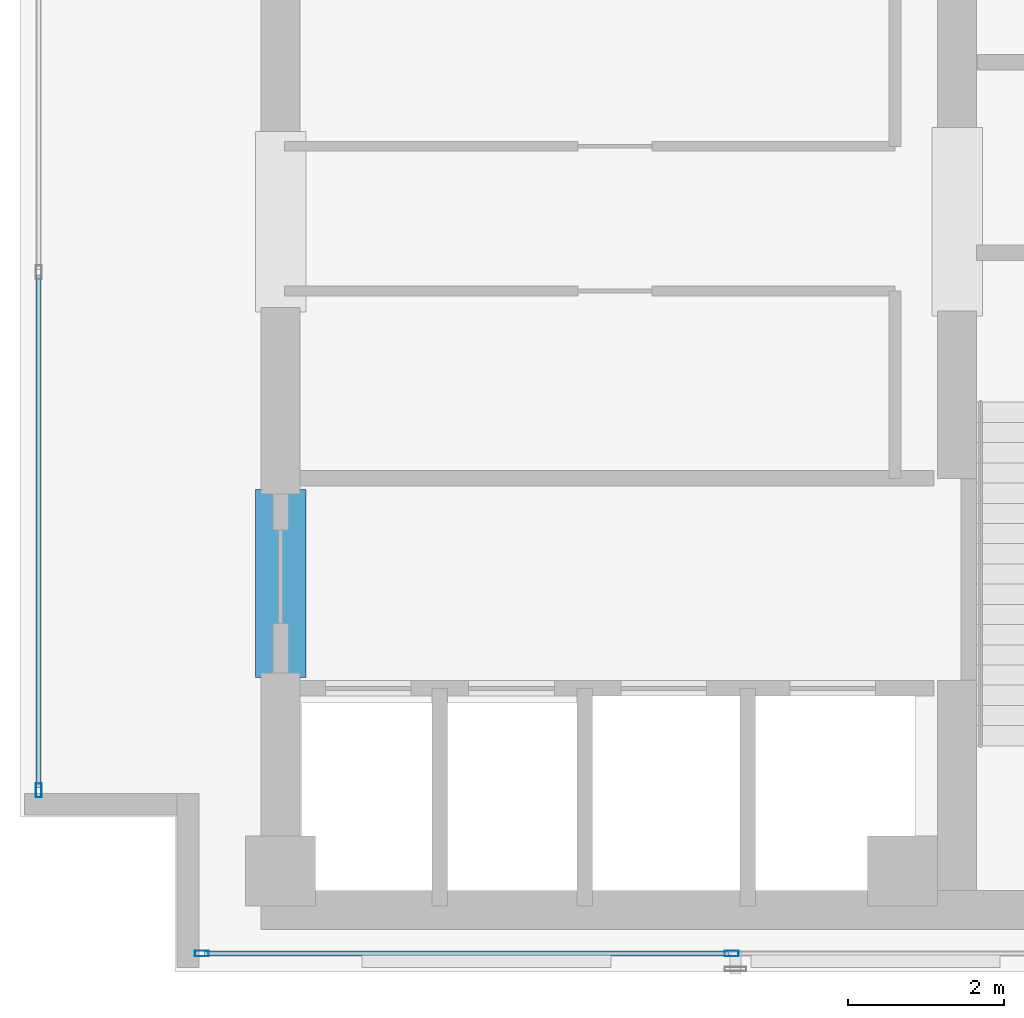
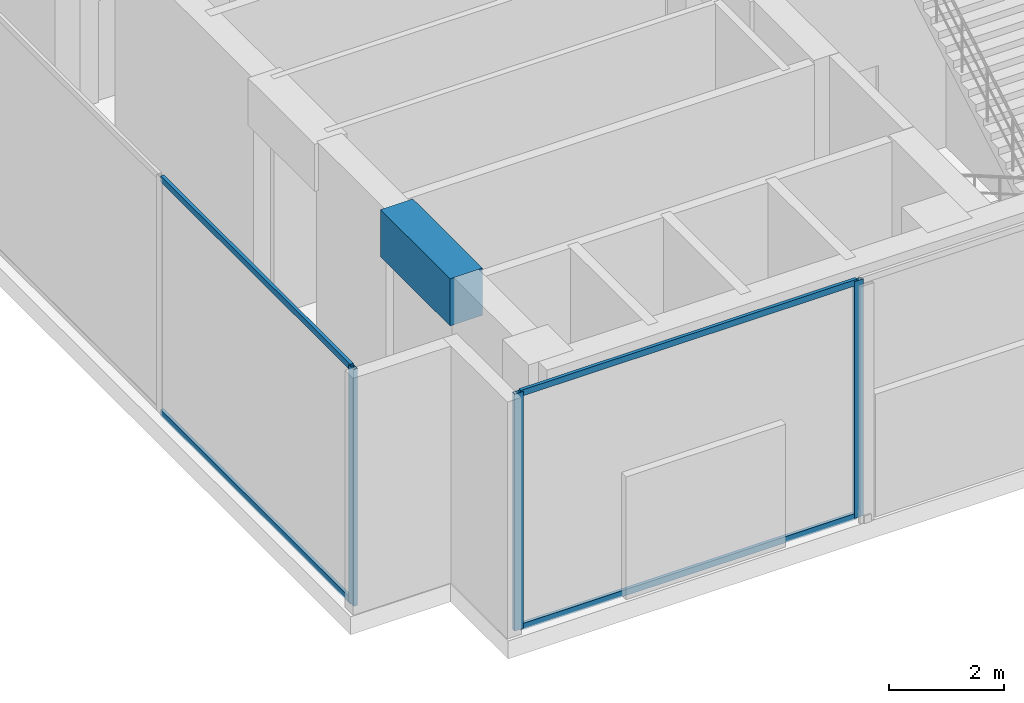
# One storey, part 2 of 29: 7 members, 1 beam, 2 elements without a shape of their own.
"""IFC4 building model written with IfcOpenShell, lengths in metres."""

import ifcopenshell
import ifcopenshell.guid

model = None  # the IFC model being written
_history = None  # IfcOwnerHistory: only IFC2X3 demands one
_inside = {}  # id of a spatial element -> (the spatial element, [elements in it])
_under = {}  # id of a project, library or spatial element -> (it, [spatial elements below it])
_declared = {}  # id of a project -> (the project, [libraries it declares])
_typed = {}  # id of a type object -> (the type object, [elements of that type])
_made_of = {}  # id of a material, layer set ... -> (it, [elements and type objects made of it])


def new_model(schema):
    """Start an empty IFC model of exactly this schema.

    Asked for "IFC4X3", IfcOpenShell would pick the latest addendum, in which some entities
    have other attributes; the version numbers below select the first issue.
    IFC2X3 requires an IfcOwnerHistory on every rooted entity: one is made here for all.
    """
    global model, _history
    if schema == "IFC4X3":
        model = ifcopenshell.file(schema_version=(4, 3, 0, 0))
    else:
        model = ifcopenshell.file(schema=schema)
    _inside.clear()
    _under.clear()
    _declared.clear()
    _typed.clear()
    _made_of.clear()
    _history = None
    if model.schema == "IFC2X3":
        org = make("IfcOrganization", Name="unknown")
        user = make(
            "IfcPersonAndOrganization",
            ThePerson=make("IfcPerson", FamilyName="unknown"),
            TheOrganization=org,
        )
        app = make(
            "IfcApplication",
            ApplicationDeveloper=org,
            Version="unknown",
            ApplicationFullName="unknown",
            ApplicationIdentifier="unknown",
        )
        _history = make(
            "IfcOwnerHistory",
            OwningUser=user,
            OwningApplication=app,
            ChangeAction="ADDED",
            CreationDate=0,
        )
    return model


def make(cls, **values):
    """One entity of the class cls with the attributes given. An attribute that is None is left unset."""
    return model.create_entity(
        cls, **{name: value for name, value in values.items() if value is not None}
    )


def rooted(cls, **values):
    """An entity with a GlobalId (a new one), such as an element, a storey or a relation."""
    return make(cls, GlobalId=ifcopenshell.guid.new(), OwnerHistory=_history, **values)


def si_unit(unit_type, name, prefix=None):
    """IfcSIUnit, for example si_unit("LENGTHUNIT", "METRE", prefix="MILLI")."""
    return make("IfcSIUnit", UnitType=unit_type, Prefix=prefix, Name=name)


def assignment(units):
    """IfcUnitAssignment: the units of a project."""
    return None if units is None else make("IfcUnitAssignment", Units=units)


def point(xyz):
    """IfcCartesianPoint."""
    return None if xyz is None else make("IfcCartesianPoint", Coordinates=xyz)


def direction(xyz):
    """IfcDirection."""
    return None if xyz is None else make("IfcDirection", DirectionRatios=xyz)


def frame(location, z_axis=None, x_axis=None):
    """IfcAxis2Placement3D, a coordinate frame: its origin and axes. An axis left out is left unset."""
    return make(
        "IfcAxis2Placement3D",
        Location=point(location),
        Axis=direction(z_axis),
        RefDirection=direction(x_axis),
    )


def frame_2d(location, x_axis=None):
    """IfcAxis2Placement2D, a coordinate frame in the plane: its origin and x axis."""
    return make(
        "IfcAxis2Placement2D", Location=point(location), RefDirection=direction(x_axis)
    )


def origin():
    """The frame at (0, 0, 0) with its axes left unset."""
    return frame((0.0, 0.0, 0.0))


def origin_with_axes():
    """The frame at (0, 0, 0) with the z axis (0, 0, 1) and the x axis (1, 0, 0) written out."""
    return frame((0.0, 0.0, 0.0), z_axis=(0.0, 0.0, 1.0), x_axis=(1.0, 0.0, 0.0))


def origin_2d():
    """The frame at (0, 0) in the plane with its x axis left unset."""
    return frame_2d((0.0, 0.0))


def place(relative_to, where):
    """IfcLocalPlacement: puts the frame where relative to a parent placement (None: the world)."""
    return make(
        "IfcLocalPlacement", PlacementRelTo=relative_to, RelativePlacement=where
    )


def context(
    kind, dimensions, precision=None, world=None, true_north=None, identifier=None
):
    """IfcGeometricRepresentationContext, for example the 3D "Model" context."""
    return make(
        "IfcGeometricRepresentationContext",
        ContextIdentifier=identifier,
        ContextType=kind,
        CoordinateSpaceDimension=dimensions,
        Precision=precision,
        WorldCoordinateSystem=world,
        TrueNorth=true_north,
    )


def subcontext(parent, identifier, kind, view, scale=None):
    """IfcGeometricRepresentationSubContext, for example "Body" below "Model"."""
    return make(
        "IfcGeometricRepresentationSubContext",
        ContextIdentifier=identifier,
        ContextType=kind,
        ParentContext=parent,
        TargetScale=scale,
        TargetView=view,
    )


def project(units=None, contexts=None):
    """IfcProject with its units and contexts."""
    return rooted(
        "IfcProject",
        Name="project",
        RepresentationContexts=contexts,
        UnitsInContext=assignment(units),
    )


def spatial(cls, under=None, at=None, **own):
    """A site, building, storey or space (cls), placed at a placement, below another one or the project."""
    s = rooted(cls, ObjectPlacement=at, **own)
    if under is not None:
        _under.setdefault(under.id(), (under, []))[1].append(s)
    return s


def profile(cls, at=None, kind="AREA", **sizes):
    """A parametric profile (cls). Its sizes go by their IFC names, for example OverallWidth=200.0."""
    return make(cls, ProfileType=kind, Position=at, **sizes)


def rectangle(**sizes):
    """IfcRectangleProfileDef."""
    return profile("IfcRectangleProfileDef", **sizes)


def hollow_rectangle(**sizes):
    """IfcRectangleHollowProfileDef."""
    return profile("IfcRectangleHollowProfileDef", **sizes)


def extrude(swept, where, along, depth):
    """IfcExtrudedAreaSolid: the profile swept, set in the frame where, extruded along a direction by depth."""
    return make(
        "IfcExtrudedAreaSolid",
        SweptArea=swept,
        Position=where,
        ExtrudedDirection=direction(along),
        Depth=depth,
    )


def shape(context_of_items, identifier, shape_type, items):
    """IfcShapeRepresentation: the items that make up one representation, for example the "Body"."""
    return make(
        "IfcShapeRepresentation",
        ContextOfItems=context_of_items,
        RepresentationIdentifier=identifier,
        RepresentationType=shape_type,
        Items=items,
    )


def source(mapping_origin, context_of_items, identifier, shape_type, items):
    """IfcRepresentationMap: a shape defined once, which mapped items show again and again."""
    return make(
        "IfcRepresentationMap",
        MappingOrigin=mapping_origin,
        MappedRepresentation=shape(context_of_items, identifier, shape_type, items),
    )


def transform(
    local_origin,
    x_axis=None,
    y_axis=None,
    z_axis=None,
    scale=None,
    scale2=None,
    scale3=None,
    uniform=True,
):
    """IfcCartesianTransformationOperator3D, or its non-uniform kind. x_axis, y_axis, z_axis: its Axis1, 2, 3."""
    if uniform:
        return make(
            "IfcCartesianTransformationOperator3D",
            Axis1=direction(x_axis),
            Axis2=direction(y_axis),
            LocalOrigin=point(local_origin),
            Scale=scale,
            Axis3=direction(z_axis),
        )
    return make(
        "IfcCartesianTransformationOperator3DnonUniform",
        Axis1=direction(x_axis),
        Axis2=direction(y_axis),
        LocalOrigin=point(local_origin),
        Scale=scale,
        Axis3=direction(z_axis),
        Scale2=scale2,
        Scale3=scale3,
    )


def mapped(mapping_source, mapping_target):
    """IfcMappedItem: shows the shape of a source again, moved by a transform."""
    return make(
        "IfcMappedItem", MappingSource=mapping_source, MappingTarget=mapping_target
    )


def material(Name=None, Category=None):
    """IfcMaterial."""
    return make("IfcMaterial", Name=Name, Category=Category)


def layer(
    of_material, thickness, ventilated=None, Name=None, Category=None, Priority=None
):
    """IfcMaterialLayer: one layer of a wall or slab, of a material (None: an air gap)."""
    return make(
        "IfcMaterialLayer",
        Material=of_material,
        LayerThickness=thickness,
        IsVentilated=ventilated,
        Name=Name,
        Category=Category,
        Priority=Priority,
    )


def layer_set(layers, Name=None):
    """IfcMaterialLayerSet."""
    return make("IfcMaterialLayerSet", MaterialLayers=layers, LayerSetName=Name)


def material_profile(
    of_material, cross_section, Name=None, Category=None, Priority=None
):
    """IfcMaterialProfile: a cross section and its material."""
    return make(
        "IfcMaterialProfile",
        Name=Name,
        Material=of_material,
        Profile=cross_section,
        Priority=Priority,
        Category=Category,
    )


def profile_set(profiles, Name=None, composite=None):
    """IfcMaterialProfileSet."""
    return make(
        "IfcMaterialProfileSet",
        Name=Name,
        MaterialProfiles=profiles,
        CompositeProfile=composite,
    )


def made_of(thing, what):
    """Note that an element or type object is made of a material, layer set ...; save() writes the relation."""
    if what is not None:
        _made_of.setdefault(what.id(), (what, []))[1].append(thing)
    return thing


def type_object(cls, material=None, **own):
    """A type object (cls), such as IfcWallType, which elements share."""
    return made_of(rooted(cls, **own), material)


def element(
    cls,
    number,
    at=None,
    inside=None,
    cuts=None,
    type_object=None,
    material=None,
    context=None,
    identifier="Body",
    shape_type=None,
    held_by="IfcProductDefinitionShape",
    body=None,
    shapes=None,
    **own,
):
    """One element of the class cls, such as IfcWall. Its Tag is "e" and its number.

    at: its placement. inside: the storey or other place that contains it. cuts: it is an
    opening in that element (IfcRelVoidsElement). A single representation is given by context,
    identifier, shape_type and body (its items); several are given by shapes. held_by: the class
    of the entity that holds the representations. save() writes the other relations.
    """
    e = rooted(cls, Tag="e%d" % number, ObjectPlacement=at, **own)
    if body is not None:
        shapes = [shape(context, identifier, shape_type, body)]
    if shapes is not None:
        e.Representation = make(held_by, Representations=shapes)
    if inside is not None:
        _inside.setdefault(inside.id(), (inside, []))[1].append(e)
    if cuts is not None:
        rooted(
            "IfcRelVoidsElement", RelatingBuildingElement=cuts, RelatedOpeningElement=e
        )
    if type_object is not None:
        _typed.setdefault(type_object.id(), (type_object, []))[1].append(e)
    return made_of(e, material)


def aggregate(whole, parts):
    """IfcRelAggregates: a whole, such as a stair, and the parts it consists of."""
    return rooted("IfcRelAggregates", RelatingObject=whole, RelatedObjects=parts)


def save(model, path):
    """Write the relations noted so far, then the file.

    IfcRelAggregates (storeys below a building ...), IfcRelContainedInSpatialStructure (elements
    in a storey), IfcRelDefinesByType, IfcRelAssociatesMaterial and IfcRelDeclares: one each for
    every whole, place, type object, material and project.
    """
    for whole, parts in _under.values():
        aggregate(whole, parts)
    for where, things in _inside.values():
        rooted(
            "IfcRelContainedInSpatialStructure",
            RelatedElements=things,
            RelatingStructure=where,
        )
    for kind, things in _typed.values():
        rooted("IfcRelDefinesByType", RelatedObjects=things, RelatingType=kind)
    for what, things in _made_of.values():
        rooted("IfcRelAssociatesMaterial", RelatedObjects=things, RelatingMaterial=what)
    for by, libraries in _declared.values():
        rooted("IfcRelDeclares", RelatingContext=by, RelatedDefinitions=libraries)
    model.write(path)


model = new_model("IFC4")

# Units and contexts
model_context = context("Model", 3, precision=1e-05, world=origin(), true_north=direction((0.0, 1.0)))
body_context = subcontext(model_context, "Body", "Model", "MODEL_VIEW")
ifc_project = project(units=[si_unit("LENGTHUNIT", "METRE"), si_unit("AREAUNIT", "SQUARE_METRE"), si_unit("VOLUMEUNIT", "CUBIC_METRE"), si_unit("PLANEANGLEUNIT", "RADIAN"), si_unit("MASSUNIT", "GRAM", prefix="KILO")], contexts=[model_context])

# Site, building, storey
site_placement = place(None, origin())
site = spatial("IfcSite", under=ifc_project, at=site_placement, CompositionType="ELEMENT")
building_placement = place(site_placement, origin())
building = spatial("IfcBuilding", under=site, at=building_placement, Name="Kolvaren Waterfront Exchange", CompositionType="ELEMENT")
storey_placement = place(building_placement, frame((0.0, 0.0, 338.800048828125)))
storey = spatial("IfcBuildingStorey", under=building, at=storey_placement, Name="L87", CompositionType="ELEMENT", Elevation=338.800048828125)

# Beam
ifc_material_1 = material(Name="Concrete C60/75", Category="concrete")
ifc_material_profile_1 = material_profile(ifc_material_1, rectangle(XDim=0.64990234375, YDim=1.0, at=origin_2d()), Name="RC-CB-1000x650")
ifc_profile_set_1 = profile_set([ifc_material_profile_1], Name="Concrete C60/75")
beam_type = type_object("IfcBeamType", Name="STR-CB-1000", PredefinedType="SPANDREL", material=ifc_profile_set_1)
beam_placement = place(storey_placement, frame((7.449951171875, 7.389892578125, 4.52001953125), z_axis=(0.0, 1.0, 0.0), x_axis=(-1.0, 0.0, 0.0)))
element("IfcBeam", 1, at=beam_placement, inside=storey, type_object=beam_type, Name="L87 core coupling beam 3", PredefinedType="SPANDREL", context=body_context, shape_type="SweptSolid", body=[
    extrude(rectangle(XDim=0.64990234375, YDim=1.0, at=origin_2d()), origin(), (0.0, 0.0, 1.0), 2.420166015625),
])

# Curtain wall, members
ifc_material_2 = material(Name="Anodised dark bronze spandrel aluminium", Category="aluminium")
ifc_layer = layer(ifc_material_2, 0.219970703125, Name="Anodised dark bronze spandrel aluminium")
ifc_layer_set = layer_set([ifc_layer], Name="Anodised dark bronze spandrel aluminium")
curtain_wall_type = type_object("IfcCurtainWallType", Name="ARC-CW-SYS6", PredefinedType="USERDEFINED", material=ifc_layer_set)
curtain_wall_1_placement = place(storey_placement, origin())
curtain_wall_1 = element("IfcCurtainWall", 2, at=curtain_wall_1_placement, inside=storey, type_object=curtain_wall_type, Name="L87 stick curtain wall CW6 (CW-L87-S)", ObjectType="STICK CURTAIN WALL", PredefinedType="USERDEFINED")
ifc_material_3 = material(Name="Anodised bronze aluminium 6063-T6", Category="aluminium")
ifc_material_profile_2 = material_profile(ifc_material_3, hollow_rectangle(XDim=0.074951171875, YDim=0.179931640625, WallThickness=0.00439453125, at=origin_2d()), Name="ALU-MUL-180x75x4.5")
ifc_profile_set_2 = profile_set([ifc_material_profile_2], Name="Anodised bronze aluminium 6063-T6")
member_type_1 = type_object("IfcMemberType", Name="ARC-CWM-180", PredefinedType="MULLION", material=ifc_profile_set_2)
shared_shape_1 = source(origin_with_axes(), body_context, "Body", "SweptSolid", [
    extrude(hollow_rectangle(XDim=0.074951171875, YDim=0.179931640625, WallThickness=0.00439453125, at=origin_2d()), origin(), (0.0, 0.0, 1.0), 5.02001953125),
])
member_1_placement = place(storey_placement, frame((6.4375, 3.840087890625, 0.0), z_axis=(0.0, 0.0, 1.0), x_axis=(0.0, 1.0, 0.0)))
member_1 = element("IfcMember", 3, at=member_1_placement, type_object=member_type_1, Name="CW6 mullion 1", PredefinedType="MULLION", context=body_context, shape_type="MappedRepresentation", body=[
    mapped(shared_shape_1, transform((0.0, 0.0, 0.0), x_axis=(1.0, 0.0, 0.0), y_axis=(0.0, 1.0, 0.0), z_axis=(0.0, 0.0, 1.0), scale=1.0)),
])
member_2_placement = place(storey_placement, frame((13.25, 3.840087890625, 0.0), z_axis=(0.0, 0.0, 1.0), x_axis=(0.0, 1.0, 0.0)))
member_2 = element("IfcMember", 4, at=member_2_placement, type_object=member_type_1, Name="CW6 mullion 2", PredefinedType="MULLION", context=body_context, shape_type="MappedRepresentation", body=[
    mapped(shared_shape_1, transform((0.0, 0.0, 0.0), x_axis=(1.0, 0.0, 0.0), y_axis=(0.0, 1.0, 0.0), z_axis=(0.0, 0.0, 1.0), scale=1.0)),
])

# Curtain wall, member
curtain_wall_2_placement = place(storey_placement, origin())
curtain_wall_2 = element("IfcCurtainWall", 5, at=curtain_wall_2_placement, inside=storey, type_object=curtain_wall_type, Name="L87 stick curtain wall CW6 (CW-L87-W)", ObjectType="STICK CURTAIN WALL", PredefinedType="USERDEFINED")
member_3_placement = place(storey_placement, frame((4.340087890625, 5.9375, 0.0), z_axis=(0.0, 0.0, 1.0), x_axis=(-1.0, 0.0, 0.0)))
member_3 = element("IfcMember", 6, at=member_3_placement, type_object=member_type_1, Name="CW6 mullion 1", PredefinedType="MULLION", context=body_context, shape_type="MappedRepresentation", body=[
    mapped(shared_shape_1, transform((0.0, 0.0, 0.0), x_axis=(1.0, 0.0, 0.0), y_axis=(0.0, 1.0, 0.0), z_axis=(0.0, 0.0, 1.0), scale=1.0)),
])

# Member
ifc_material_profile_3 = material_profile(ifc_material_3, hollow_rectangle(XDim=0.06494140625, YDim=0.1298828125, WallThickness=0.00390625, at=origin_2d()), Name="ALU-TRN-130x65x4")
ifc_profile_set_3 = profile_set([ifc_material_profile_3], Name="Anodised bronze aluminium 6063-T6")
member_type_2 = type_object("IfcMemberType", Name="ARC-CWT-130", PredefinedType="USERDEFINED", material=ifc_profile_set_3)
shared_shape_2 = source(origin_with_axes(), body_context, "Body", "SweptSolid", [
    extrude(hollow_rectangle(XDim=0.06494140625, YDim=0.1298828125, WallThickness=0.00390625, at=origin_2d()), origin(), (0.0, 0.0, 1.0), 6.7373046875),
])
member_4_placement = place(storey_placement, frame((6.47509765625, 3.840087890625, 0.032470703125), z_axis=(1.0, 0.0, 0.0), x_axis=(0.0, 1.0, 0.0)))
member_4 = element("IfcMember", 7, at=member_4_placement, type_object=member_type_2, Name="CW6 transom 1.1", ObjectType="TRANSOM", PredefinedType="USERDEFINED", context=body_context, shape_type="MappedRepresentation", body=[
    mapped(shared_shape_2, transform((0.0, 0.0, 0.0), x_axis=(1.0, 0.0, 0.0), y_axis=(0.0, 1.0, 0.0), z_axis=(0.0, 0.0, 1.0), scale=1.0)),
])

member_5_placement = place(storey_placement, frame((6.47509765625, 3.840087890625, 4.987548828125), z_axis=(1.0, 0.0, 0.0), x_axis=(0.0, 1.0, 0.0)))
member_5 = element("IfcMember", 8, at=member_5_placement, type_object=member_type_2, Name="CW6 transom 1.2", ObjectType="TRANSOM", PredefinedType="USERDEFINED", context=body_context, shape_type="MappedRepresentation", body=[
    mapped(shared_shape_2, transform((0.0, 0.0, 0.0), x_axis=(1.0, 0.0, 0.0), y_axis=(0.0, 1.0, 0.0), z_axis=(0.0, 0.0, 1.0), scale=1.0)),
])

aggregate(curtain_wall_1, [member_1, member_2, member_4, member_5])

shared_shape_3 = source(origin_with_axes(), body_context, "Body", "SweptSolid", [
    extrude(hollow_rectangle(XDim=0.06494140625, YDim=0.1298828125, WallThickness=0.00390625, at=origin_2d()), origin(), (0.0, 0.0, 1.0), 6.58740234375),
])
member_6_placement = place(storey_placement, frame((4.340087890625, 5.97509765625, 0.032470703125), z_axis=(0.0, 1.0, 0.0), x_axis=(-1.0, 0.0, 0.0)))
member_6 = element("IfcMember", 9, at=member_6_placement, type_object=member_type_2, Name="CW6 transom 1.1", ObjectType="TRANSOM", PredefinedType="USERDEFINED", context=body_context, shape_type="MappedRepresentation", body=[
    mapped(shared_shape_3, transform((0.0, 0.0, 0.0), x_axis=(1.0, 0.0, 0.0), y_axis=(0.0, 1.0, 0.0), z_axis=(0.0, 0.0, 1.0), scale=1.0)),
])

member_7_placement = place(storey_placement, frame((4.340087890625, 5.97509765625, 4.987548828125), z_axis=(0.0, 1.0, 0.0), x_axis=(-1.0, 0.0, 0.0)))
member_7 = element("IfcMember", 10, at=member_7_placement, type_object=member_type_2, Name="CW6 transom 1.2", ObjectType="TRANSOM", PredefinedType="USERDEFINED", context=body_context, shape_type="MappedRepresentation", body=[
    mapped(shared_shape_3, transform((0.0, 0.0, 0.0), x_axis=(1.0, 0.0, 0.0), y_axis=(0.0, 1.0, 0.0), z_axis=(0.0, 0.0, 1.0), scale=1.0)),
])

aggregate(curtain_wall_2, [member_3, member_6, member_7])

save(model, "model.ifc")
